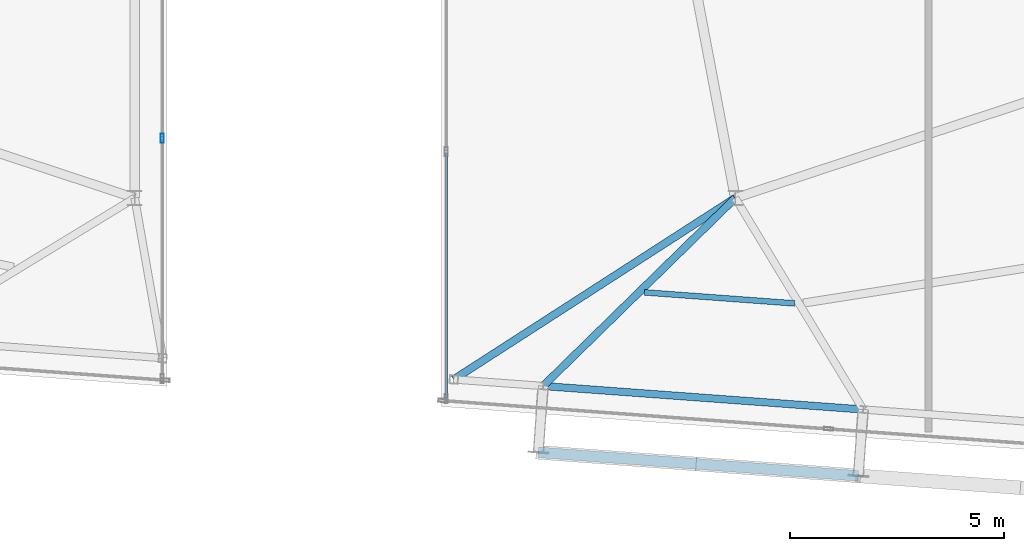
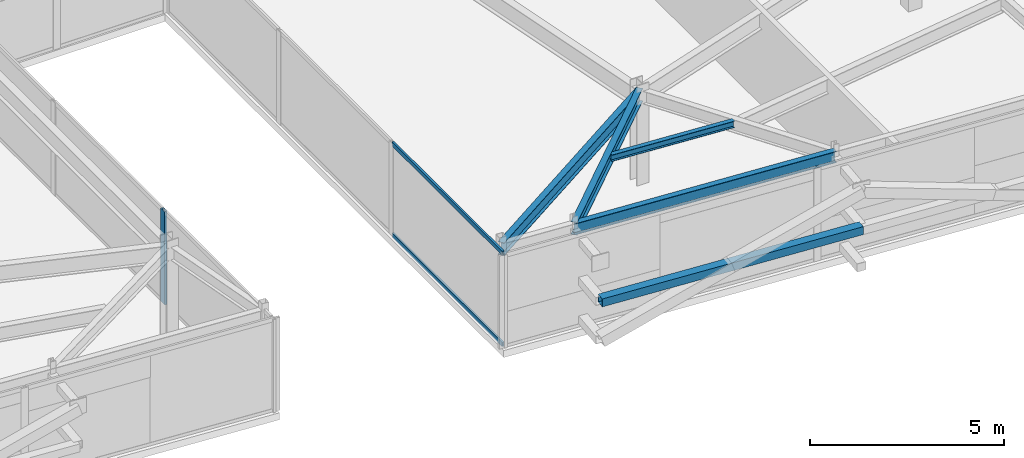
# One storey, part 12 of 39: 4 beams, 4 members, 2 elements without a shape of their own.
"""IFC4 building model written with IfcOpenShell, lengths in metres."""

from ifc_helpers import new_model, si_unit, direction, frame, origin, origin_2d, place, context, subcontext, project, spatial, hollow_rectangle, i_section, extrude, source, transform, mapped, material, layer, layer_set, material_profile, profile_set, type_object, element, aggregate, save


model = new_model("IFC4")

# Units and contexts
model_context = context("Model", 3, precision=1e-05, world=origin(), true_north=direction((0.0, 1.0)))
body_context = subcontext(model_context, "Body", "Model", "MODEL_VIEW")
ifc_project = project(units=[si_unit("LENGTHUNIT", "METRE"), si_unit("AREAUNIT", "SQUARE_METRE"), si_unit("VOLUMEUNIT", "CUBIC_METRE"), si_unit("PLANEANGLEUNIT", "RADIAN"), si_unit("MASSUNIT", "GRAM", prefix="KILO")], contexts=[model_context])

# Site, building, storey
site_placement = place(None, origin())
site = spatial("IfcSite", under=ifc_project, at=site_placement, CompositionType="ELEMENT")
building_placement = place(site_placement, origin())
building = spatial("IfcBuilding", under=site, at=building_placement, Name="Taldren Reach Tower", CompositionType="ELEMENT")
storey_placement = place(building_placement, frame((0.0, 0.0, 230.300048828125)))
storey = spatial("IfcBuildingStorey", under=building, at=storey_placement, Name="L70", CompositionType="ELEMENT", Elevation=230.300048828125)

# Beams
ifc_material_1 = material(Name="Steel Gr 350 (350PLUS)", Category="steel")
ifc_material_profile_1 = material_profile(ifc_material_1, i_section(OverallWidth=0.172119140625, OverallDepth=0.35888671875, WebThickness=0.008056640625, FlangeThickness=0.012939453125, at=origin_2d()), Name="360UB56.7")
ifc_profile_set_1 = profile_set([ifc_material_profile_1], Name="Steel Gr 350 (350PLUS)")
beam_type_1 = type_object("IfcBeamType", Name="SP-UB360", PredefinedType="SPANDREL", material=ifc_profile_set_1)
shared_shape_1 = source(origin(), body_context, "Body", "SweptSolid", [
    extrude(i_section(OverallWidth=0.172119140625, OverallDepth=0.35888671875, WebThickness=0.008056640625, FlangeThickness=0.012939453125, at=origin_2d()), origin(), (0.0, 0.0, 1.0), 7.479736328125),
])
beam_1_placement = place(storey_placement, frame((37.5205078125, 4.81689453125, 2.75048828125), z_axis=(0.997314045547, -0.073244075215, 0.0), x_axis=(0.073244075215, 0.997314045547, 0.0)))
element("IfcBeam", 1, at=beam_1_placement, inside=storey, type_object=beam_type_1, Name="Perimeter spandrel B5 S4-S5 L70", PredefinedType="SPANDREL", context=body_context, shape_type="MappedRepresentation", body=[
    mapped(shared_shape_1, transform((0.0, 0.0, 0.0), scale=1.0)),
])
ifc_material_profile_2 = material_profile(ifc_material_1, i_section(OverallWidth=0.177978515625, OverallDepth=0.406005859375, WebThickness=0.0078125, FlangeThickness=0.0126953125, at=origin_2d()), Name="410UB59.7")
ifc_profile_set_2 = profile_set([ifc_material_profile_2], Name="Steel Gr 350 (350PLUS)")
beam_type_2 = type_object("IfcBeamType", Name="BM-UB410", PredefinedType="BEAM", material=ifc_profile_set_2)
shared_shape_2 = source(origin(), body_context, "Body", "SweptSolid", [
    extrude(i_section(OverallWidth=0.177978515625, OverallDepth=0.406005859375, WebThickness=0.0078125, FlangeThickness=0.0126953125, at=origin_2d()), origin(), (0.0, 0.0, 1.0), 7.80908203125),
])
beam_2_placement = place(storey_placement, frame((42.0, 9.199951171875, 2.72705078125), z_axis=(-0.840564391699, -0.541711642304, 0.0), x_axis=(0.541711642304, -0.840564391699, 0.0)))
element("IfcBeam", 2, at=beam_2_placement, inside=storey, type_object=beam_type_2, Name="Primary floor girder B5-PJ2 L70", PredefinedType="BEAM", context=body_context, shape_type="MappedRepresentation", body=[
    mapped(shared_shape_2, transform((0.0, 0.0, 0.0), scale=1.0)),
])
shared_shape_3 = source(origin(), body_context, "Body", "SweptSolid", [
    extrude(i_section(OverallWidth=0.177978515625, OverallDepth=0.406005859375, WebThickness=0.0078125, FlangeThickness=0.0126953125, at=origin_2d()), origin(), (0.0, 0.0, 1.0), 6.26708984375),
])
beam_3_placement = place(storey_placement, frame((42.0, 9.199951171875, 2.72705078125), z_axis=(-0.71475866888, -0.699371178461, 0.0), x_axis=(0.699371178461, -0.71475866888, 0.0)))
element("IfcBeam", 3, at=beam_3_placement, inside=storey, type_object=beam_type_2, Name="Primary floor girder B5-S4 L70", PredefinedType="BEAM", context=body_context, shape_type="MappedRepresentation", body=[
    mapped(shared_shape_3, transform((0.0, 0.0, 0.0), scale=1.0)),
])
ifc_material_2 = material(Name="Steel Gr 300 (300PLUS, 300 MPa)", Category="steel")
ifc_material_profile_3 = material_profile(ifc_material_2, i_section(OverallWidth=0.134033203125, OverallDepth=0.20703125, WebThickness=0.00634765625, FlangeThickness=0.009521484375, at=origin_2d()), Name="200UB29.8")
ifc_profile_set_3 = profile_set([ifc_material_profile_3], Name="Steel Gr 300 (300PLUS, 300 MPa)")
beam_type_3 = type_object("IfcBeamType", Name="JS-UB200", PredefinedType="JOIST", material=ifc_profile_set_3)
shared_shape_4 = source(origin(), body_context, "Body", "SweptSolid", [
    extrude(i_section(OverallWidth=0.134033203125, OverallDepth=0.20703125, WebThickness=0.00634765625, FlangeThickness=0.009521484375, at=origin_2d()), origin(), (0.0, 0.0, 1.0), 3.51220703125),
])
beam_4_placement = place(storey_placement, frame((39.878662109375, 6.999755859375, 2.826416015625), z_axis=(0.997312333235, -0.073267386856, 0.0), x_axis=(0.073267386856, 0.997312333235, 0.0)))
element("IfcBeam", 4, at=beam_4_placement, inside=storey, type_object=beam_type_3, Name="Secondary floor joist B5 J4 L70", PredefinedType="JOIST", context=body_context, shape_type="MappedRepresentation", body=[
    mapped(shared_shape_4, transform((0.0, 0.0, 0.0), scale=1.0)),
])

# Member
ifc_material_3 = material(Name="Steel Gr 350 (C350L0)", Category="steel")
ifc_material_profile_4 = material_profile(ifc_material_3, hollow_rectangle(XDim=0.25, YDim=0.25, WallThickness=0.010009765625, at=origin_2d()), Name="250x250x10.0SHS")
ifc_profile_set_4 = profile_set([ifc_material_profile_4], Name="Steel Gr 350 (C350L0)")
member_type_1 = type_object("IfcMemberType", Name="MB-POST250", PredefinedType="POST", material=ifc_profile_set_4)
shared_shape_5 = source(origin(), body_context, "Body", "SweptSolid", [
    extrude(hollow_rectangle(XDim=0.25, YDim=0.25, WallThickness=0.010009765625, at=origin_2d()), origin(), (0.0, 0.0, 1.0), 7.479736328125),
])
member_1_placement = place(storey_placement, frame((37.406982421875, 3.27099609375, 1.43505859375), z_axis=(0.997314045547, -0.073244075215, 0.0), x_axis=(0.073244075215, 0.997314045547, 0.0)))
element("IfcMember", 5, at=member_1_placement, inside=storey, type_object=member_type_1, Name="Exoskeleton mid-height ring chord B5-S3 L70", PredefinedType="POST", context=body_context, shape_type="MappedRepresentation", body=[
    mapped(shared_shape_5, transform((0.0, 0.0, 0.0), scale=1.0)),
])

# Curtain wall, member
ifc_material_4 = material(Name="Aluminium and Low-E Glass Unitised System", Category="aluminium")
ifc_layer = layer(ifc_material_4, 0.159912109375)
ifc_layer_set = layer_set([ifc_layer], Name="Aluminium and Low-E Glass Unitised System")
curtain_wall_type = type_object("IfcCurtainWallType", Name="CW-SYS-7", PredefinedType="NOTDEFINED", material=ifc_layer_set)
curtain_wall_1_placement = place(storey_placement, origin())
curtain_wall_1 = element("IfcCurtainWall", 6, at=curtain_wall_1_placement, inside=storey, type_object=curtain_wall_type, Name="Unitised curtain wall CW7-L70-PSW", PredefinedType="NOTDEFINED")
ifc_material_5 = material(Name="Anodised Aluminium 6063-T6", Category="aluminium")
ifc_material_profile_5 = material_profile(ifc_material_5, hollow_rectangle(XDim=0.074951171875, YDim=0.2099609375, WallThickness=0.00439453125, at=origin_2d()), Name="ALU-210x75x4.5RHS")
ifc_profile_set_5 = profile_set([ifc_material_profile_5], Name="Anodised Aluminium 6063-T6")
member_type_2 = type_object("IfcMemberType", Name="CW-MUL-200", PredefinedType="MULLION", material=ifc_profile_set_5)
shared_shape_6 = source(origin(), body_context, "Body", "SweptSolid", [
    extrude(hollow_rectangle(XDim=0.074951171875, YDim=0.2099609375, WallThickness=0.00439453125, at=origin_2d()), origin(), (0.0, 0.0, 1.0), 2.929931640625),
])
member_2_placement = place(storey_placement, frame((28.639892578125, 10.593017578125, 0.0), z_axis=(0.0, 0.0, 1.0), x_axis=(-1.0, 0.0, 0.0)))
member_2 = element("IfcMember", 7, at=member_2_placement, type_object=member_type_2, Name="CW-7 mullion 2", PredefinedType="MULLION", context=body_context, shape_type="MappedRepresentation", body=[
    mapped(shared_shape_6, transform((0.0, 0.0, 0.0), scale=1.0)),
])
aggregate(curtain_wall_1, [member_2])

# Curtain wall, members
curtain_wall_2_placement = place(storey_placement, origin())
curtain_wall_2 = element("IfcCurtainWall", 8, at=curtain_wall_2_placement, inside=storey, type_object=curtain_wall_type, Name="Unitised curtain wall CW7-L70-PSE", PredefinedType="NOTDEFINED")
ifc_material_profile_6 = material_profile(ifc_material_5, hollow_rectangle(XDim=0.06005859375, YDim=0.135009765625, WallThickness=0.00341796875, at=origin_2d()), Name="ALU-135x60x3.5RHS")
ifc_profile_set_6 = profile_set([ifc_material_profile_6], Name="Anodised Aluminium 6063-T6")
member_type_3 = type_object("IfcMemberType", Name="CW-TRN-150", PredefinedType="USERDEFINED", material=ifc_profile_set_6)
shared_shape_7 = source(origin(), body_context, "Body", "SweptSolid", [
    extrude(hollow_rectangle(XDim=0.06005859375, YDim=0.135009765625, WallThickness=0.00341796875, at=origin_2d()), origin(), (0.0, 0.0, 1.0), 5.687744140625),
])
member_3_placement = place(storey_placement, frame((35.260009765625, 10.2421875, 0.030029296875), z_axis=(0.0, -1.0, 0.0), x_axis=(1.0, 0.0, 0.0)))
member_3 = element("IfcMember", 9, at=member_3_placement, type_object=member_type_3, Name="CW-7 transom 3.1", ObjectType="TRANSOM", PredefinedType="USERDEFINED", context=body_context, shape_type="MappedRepresentation", body=[
    mapped(shared_shape_7, transform((0.0, 0.0, 0.0), scale=1.0)),
])
member_4_placement = place(storey_placement, frame((35.260009765625, 10.2421875, 2.89990234375), z_axis=(0.0, -1.0, 0.0), x_axis=(1.0, 0.0, 0.0)))
member_4 = element("IfcMember", 10, at=member_4_placement, type_object=member_type_3, Name="CW-7 transom 3.2", ObjectType="TRANSOM", PredefinedType="USERDEFINED", context=body_context, shape_type="MappedRepresentation", body=[
    mapped(shared_shape_7, transform((0.0, 0.0, 0.0), scale=1.0)),
])
aggregate(curtain_wall_2, [member_3, member_4])

save(model, "model.ifc")
